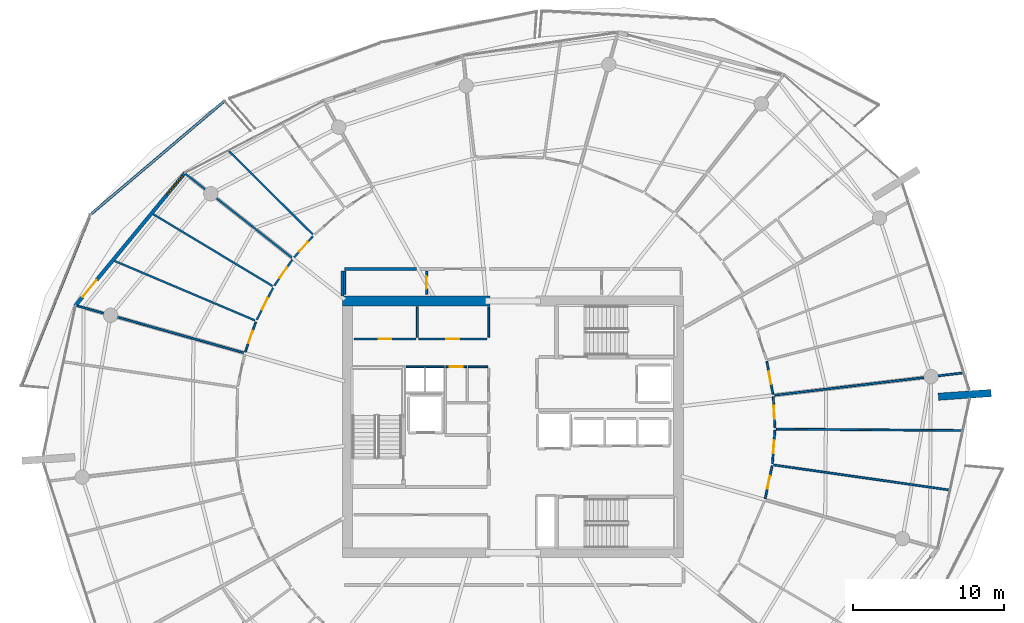
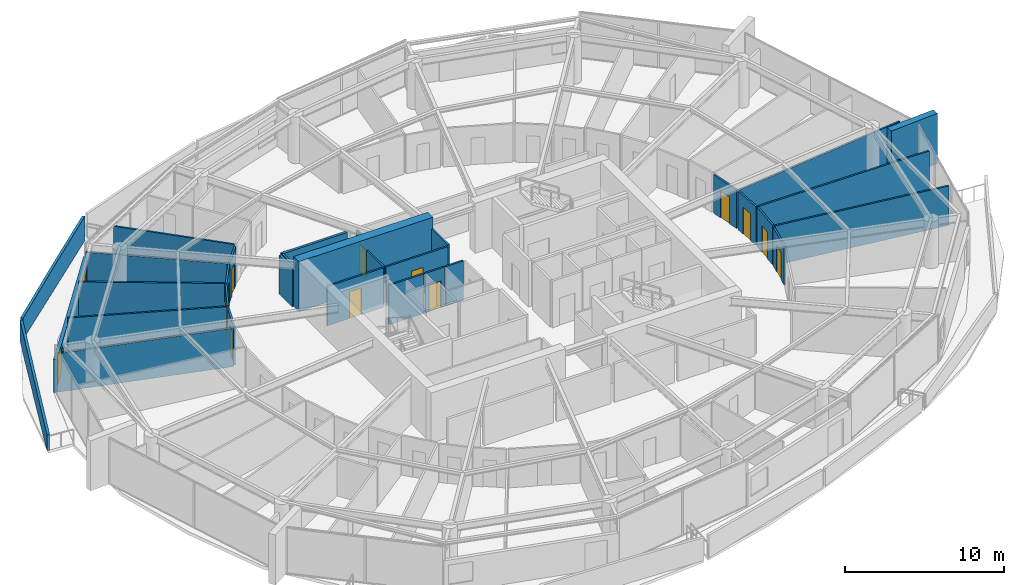
# One storey, part 22 of 31: 32 walls, 13 doors, 1 window, 14 openings.
"""IFC4 building model written with IfcOpenShell, lengths in metres."""

from ifc_helpers import new_model, si_unit, direction, frame, frame_2d, origin, place, context, subcontext, project, spatial, polyline, rectangle, outline, extrude, material, layer, layer_set, type_object, element, fill, save


model = new_model("IFC4")

# Units and contexts
model_context = context("Model", 3, precision=1e-05, world=origin(), true_north=direction((0.0, 1.0)))
body_context = subcontext(model_context, "Body", "Model", "MODEL_VIEW")
ifc_project = project(units=[si_unit("LENGTHUNIT", "METRE"), si_unit("AREAUNIT", "SQUARE_METRE"), si_unit("VOLUMEUNIT", "CUBIC_METRE"), si_unit("PLANEANGLEUNIT", "RADIAN"), si_unit("MASSUNIT", "GRAM", prefix="KILO")], contexts=[model_context])

# Site, building, storey
site_placement = place(None, origin())
site = spatial("IfcSite", under=ifc_project, at=site_placement, CompositionType="ELEMENT")
building_placement = place(site_placement, origin())
building = spatial("IfcBuilding", under=site, at=building_placement, Name="Kazma Halo Residences", CompositionType="ELEMENT")
storey_placement = place(building_placement, frame((0.0, 0.0, 240.550048828125)))
storey = spatial("IfcBuildingStorey", under=building, at=storey_placement, Name="L60", CompositionType="ELEMENT", Elevation=240.550048828125)

# Walls
ifc_material_1 = material(Name="White Concrete C50/60 Balustrade", Category="concrete")
ifc_layer_1 = layer(ifc_material_1, 0.179931640625)
ifc_layer_set_1 = layer_set([ifc_layer_1], Name="White Concrete C50/60 Balustrade")
wall_type_1 = type_object("IfcWallType", Name="WL-BAL-WAVE-180", PredefinedType="PARAPET", material=ifc_layer_set_1)
wall_1_placement = place(storey_placement, frame((29.34765625, 63.571044921875, 0.0), z_axis=(0.0, 0.0, 1.0), x_axis=(-0.762735629532, -0.646710413896, 0.0)))
element("IfcWall", 1, at=wall_1_placement, inside=storey, type_object=wall_type_1, Name="L60 white wave balustrade wall NW.1", PredefinedType="PARAPET", context=body_context, shape_type="SweptSolid", body=[
    extrude(outline(polyline([(0.0, 0.0), (11.53515625, 0.0), (11.53515625, 1.6318359375), (5.767578125, 1.7978515625), (0.0, 1.85986328125), (0.0, 0.0)])), frame((0.0, 0.08984375, 0.0), z_axis=(0.0, -1.0, 0.0), x_axis=(1.0, 0.0, 0.0)), (0.0, 0.0, 1.0), 0.179931640625),
])
wall_2_placement = place(storey_placement, frame((20.4130859375, 55.922119140625, 0.0), z_axis=(0.0, 0.0, 1.0), x_axis=(-0.374094279698, -0.927390678138, 0.0)))
element("IfcWall", 2, at=wall_2_placement, inside=storey, type_object=wall_type_1, Name="L60 white wave balustrade wall NW.2", PredefinedType="PARAPET", context=body_context, shape_type="SweptSolid", body=[
    extrude(outline(polyline([(0.0, 0.0), (12.07470703125, 0.0), (12.07470703125, 1.23291015625), (6.037353515625, 1.41796875), (0.0, 1.6318359375), (0.0, 0.0)])), frame((0.0, 0.08984375, 0.0), z_axis=(0.0, -1.0, 0.0), x_axis=(1.0, 0.0, 0.0)), (0.0, 0.0, 1.0), 0.179931640625),
])
ifc_material_2 = material(Name="Pale Concrete C60/75", Category="concrete")
ifc_layer_2 = layer(ifc_material_2, 0.47998046875)
ifc_layer_set_2 = layer_set([ifc_layer_2], Name="Pale Concrete C60/75")
wall_type_2 = type_object("IfcWallType", Name="WL-BLADE-480", PredefinedType="SOLIDWALL", material=ifc_layer_set_2)
wall_3_placement = place(storey_placement, frame((76.5625, 43.997314453125, 0.0), z_axis=(0.0, 0.0, 1.0), x_axis=(0.997563824095, 0.069759707979, 0.0)))
element("IfcWall", 3, at=wall_3_placement, inside=storey, type_object=wall_type_2, Name="L60 pale concrete structural blade fin wall BW-04", PredefinedType="SOLIDWALL", context=body_context, shape_type="SweptSolid", body=[
    extrude(rectangle(XDim=3.499755859375, YDim=0.47998046875, at=frame_2d((1.75, 0.0))), origin(), (0.0, 0.0, 1.0), 3.849853515625),
])
ifc_material_3 = material(Name="Concrete C60/75", Category="concrete")
ifc_layer_3 = layer(ifc_material_3, 0.64990234375)
ifc_layer_set_3 = layer_set([ifc_layer_3], Name="Concrete C60/75")
wall_type_3 = type_object("IfcWallType", Name="WL-CORE-650", PredefinedType="SHEAR", material=ifc_layer_set_3)
wall_4_placement = place(storey_placement, frame((37.14990234375, 50.324951171875, 0.0), z_axis=(0.0, 0.0, 1.0), x_axis=(1.0, 0.0, 0.0)))
element("IfcWall", 4, at=wall_4_placement, inside=storey, type_object=wall_type_3, Name="L60 central core shear wall NW", PredefinedType="SHEAR", context=body_context, shape_type="SweptSolid", body=[
    extrude(rectangle(XDim=9.75, YDim=0.64990234375, at=frame_2d((4.875, 0.0))), origin(), (0.0, 0.0, 1.0), 3.849853515625),
])
ifc_material_4 = material(Name="Acoustic Twin-Stud Gypsum")
ifc_layer_4 = layer(ifc_material_4, 0.179931640625)
ifc_layer_set_4 = layer_set([ifc_layer_4], Name="Acoustic Twin-Stud Gypsum")
wall_type_4 = type_object("IfcWallType", Name="WL-DEM-180", PredefinedType="PARTITIONING", material=ifc_layer_set_4)
wall_5_placement = place(storey_placement, frame((42.027587890625, 52.449951171875, 0.0), z_axis=(0.0, 0.0, 1.0), x_axis=(-1.0, 0.0, 0.0)))
element("IfcWall", 5, at=wall_5_placement, inside=storey, type_object=wall_type_4, Name="L60 Apartment 1 inner wall 4", PredefinedType="PARTITIONING", context=body_context, shape_type="SweptSolid", body=[
    extrude(rectangle(XDim=4.757568359375, YDim=0.179931640625, at=frame_2d((2.37890625, 0.0))), origin(), (0.0, 0.0, 1.0), 2.95703125),
])
wall_6_placement = place(storey_placement, frame((37.14990234375, 52.330078125, 0.0), z_axis=(0.0, 0.0, 1.0), x_axis=(0.0, -1.0, 0.0)))
element("IfcWall", 6, at=wall_6_placement, inside=storey, type_object=wall_type_4, Name="L60 Apartment 1 inner wall 4", PredefinedType="PARTITIONING", context=body_context, shape_type="SweptSolid", body=[
    extrude(rectangle(XDim=1.656494140625, YDim=0.179931640625, at=frame_2d((0.828125, 0.0))), origin(), (0.0, 0.0, 1.0), 2.95703125),
])

# Wall, openings, door, window
ifc_material_5 = material(Name="Insulated Pale-Metal Composite Wall")
ifc_layer_5 = layer(ifc_material_5, 0.239990234375)
ifc_layer_set_5 = layer_set([ifc_layer_5], Name="Insulated Pale-Metal Composite Wall")
wall_type_5 = type_object("IfcWallType", Name="WL-EXT-HOST-240", PredefinedType="SOLIDWALL", material=ifc_layer_set_5)
wall_7_placement = place(storey_placement, frame((26.7421875, 58.822021484375, 0.0), z_axis=(0.0, 0.0, 1.0), x_axis=(-0.636680093065, -0.771128043255, 0.0)))
wall_7 = element("IfcWall", 7, at=wall_7_placement, inside=storey, type_object=wall_type_5, Name="L60 exterior terrace-access wall B06", PredefinedType="SOLIDWALL", context=body_context, shape_type="SweptSolid", body=[
    extrude(rectangle(XDim=11.438232421875, YDim=0.239990234375, at=frame_2d((5.71923828125, 0.0))), origin(), (0.0, 0.0, 1.0), 2.5400390625),
])
opening_1_placement = place(wall_7_placement, frame((9.21826171875, 0.0, 0.0)))
opening_1 = element("IfcOpeningElement", 8, at=opening_1_placement, cuts=wall_7, Name="Opening DTR-1600", PredefinedType="OPENING", context=body_context, shape_type="SweptSolid", body=[
    extrude(rectangle(XDim=1.449951171875, YDim=2.14990234375, at=frame_2d((0.72509765625, 1.074951171875))), frame((0.0, 0.1298828125, 0.0), z_axis=(0.0, -1.0, 0.0), x_axis=(1.0, 0.0, 0.0)), (0.0, 0.0, 1.0), 0.260009765625),
])
opening_2_placement = place(wall_7_placement, frame((0.280029296875, 0.0, 0.64990234375)))
opening_2 = element("IfcOpeningElement", 9, at=opening_2_placement, cuts=wall_7, Name="Opening W-1800", PredefinedType="OPENING", context=body_context, shape_type="SweptSolid", body=[
    extrude(rectangle(XDim=1.60009765625, YDim=1.5, at=frame_2d((0.800048828125, 0.75))), frame((0.0, 0.1298828125, 0.0), z_axis=(0.0, -1.0, 0.0), x_axis=(1.0, 0.0, 0.0)), (0.0, 0.0, 1.0), 0.260009765625),
])
ifc_material_6 = material(Name="Aluminium AW-6063 T6 Double-Glazed Terrace Door", Category="aluminium")
door_type_1 = type_object("IfcDoorType", Name="DR-EXT-TERR-1600", OperationType="NOTDEFINED", PredefinedType="DOOR", material=ifc_material_6)
door_1_placement = place(opening_1_placement, origin())
door_1 = element("IfcDoor", 10, at=door_1_placement, inside=storey, type_object=door_type_1, Name="L60 B06 balcony terrace door", OperationType="DOUBLE_DOOR_SLIDING", OverallHeight=2.14990234375, OverallWidth=1.449951171875, PredefinedType="DOOR", context=body_context, shape_type="SweptSolid", body=[
    extrude(rectangle(XDim=1.449951171875, YDim=2.14990234375, at=frame_2d((0.72509765625, 1.074951171875))), frame((0.0, 0.02490234375, 0.0), z_axis=(0.0, -1.0, 0.0), x_axis=(1.0, 0.0, 0.0)), (0.0, 0.0, 1.0), 0.050048828125),
])
fill(opening_1, door_1)
ifc_material_7 = material(Name="Clear Triple-Silver Low-E Glass in Aluminium AW-6063 T6 Frame", Category="aluminium")
window_type = type_object("IfcWindowType", Name="WIN-RES-1800", PartitioningType="DOUBLE_PANEL_VERTICAL", PredefinedType="WINDOW", material=ifc_material_7)
window_placement = place(opening_2_placement, origin())
window = element("IfcWindow", 11, at=window_placement, inside=storey, type_object=window_type, Name="L60 B06 apartment window", OverallHeight=1.5, OverallWidth=1.60009765625, PartitioningType="SINGLE_PANEL", PredefinedType="WINDOW", context=body_context, shape_type="SweptSolid", body=[
    extrude(rectangle(XDim=1.60009765625, YDim=1.5, at=frame_2d((0.800048828125, 0.75))), frame((0.0, 0.030029296875, 0.0), z_axis=(0.0, -1.0, 0.0), x_axis=(1.0, 0.0, 0.0)), (0.0, 0.0, 1.0), 0.06005859375),
])
fill(opening_2, window)

# Walls
ifc_material_8 = material(Name="Gypsum Plasterboard Partition")
ifc_layer_6 = layer(ifc_material_8, 0.125)
ifc_layer_set_6 = layer_set([ifc_layer_6], Name="Gypsum Plasterboard Partition")
wall_type_6 = type_object("IfcWallType", Name="WL-PART-125", PredefinedType="PARTITIONING", material=ifc_layer_set_6)
for number, where, z_axis, x_axis, name in (
    (12, (46.820068359375, 47.919921875, 0.0), (0.0, 0.0, 1.0), (0.0, 1.0, 0.0), "L60 reclaimed north east wall"),
    (13, (42.10009765625, 47.919921875, 0.0), (0.0, 0.0, 1.0), (0.0, 1.0, 0.0), "L60 reclaimed north divider wall"),
):
    element("IfcWall", number, at=place(storey_placement, frame(where, z_axis=z_axis, x_axis=x_axis)), inside=storey, type_object=wall_type_6, Name=name, PredefinedType="PARTITIONING", context=body_context, shape_type="SweptSolid", body=[
        extrude(rectangle(XDim=2.030029296875, YDim=0.125, at=frame_2d((1.01513671875, 0.0))), origin(), (0.0, 0.0, 1.0), 3.030029296875),
    ])

# Wall, opening, door
wall_8_placement = place(storey_placement, frame((37.919921875, 47.820068359375, 0.0), z_axis=(0.0, 0.0, 1.0), x_axis=(1.0, 0.0, 0.0)))
wall_8 = element("IfcWall", 14, at=wall_8_placement, inside=storey, type_object=wall_type_6, Name="L60 reclaimed north W front wall", PredefinedType="PARTITIONING", context=body_context, shape_type="SweptSolid", body=[
    extrude(rectangle(XDim=4.080078125, YDim=0.125, at=frame_2d((2.0400390625, 0.0))), origin(), (0.0, 0.0, 1.0), 3.030029296875),
])
opening_3_placement = place(wall_8_placement, frame((1.614990234375, 0.0, 0.0)))
opening_3 = element("IfcOpeningElement", 15, at=opening_3_placement, cuts=wall_8, Name="Opening DS-850", PredefinedType="OPENING", context=body_context, shape_type="SweptSolid", body=[
    extrude(rectangle(XDim=0.85009765625, YDim=2.06005859375, at=frame_2d((0.425048828125, 1.030029296875))), frame((0.0, 0.072509765625, 0.0), z_axis=(0.0, -1.0, 0.0), x_axis=(1.0, 0.0, 0.0)), (0.0, 0.0, 1.0), 0.14501953125),
])
ifc_material_9 = material(Name="Painted Steel Access Leaf", Category="steel")
door_type_2 = type_object("IfcDoorType", Name="DR-SVC-850", OperationType="NOTDEFINED", PredefinedType="DOOR", material=ifc_material_9)
door_2_placement = place(opening_3_placement, origin())
door_2 = element("IfcDoor", 16, at=door_2_placement, inside=storey, type_object=door_type_2, Name="L60 reclaimed north W door", OperationType="SINGLE_SWING_RIGHT", OverallHeight=2.06005859375, OverallWidth=0.85009765625, PredefinedType="DOOR", context=body_context, shape_type="SweptSolid", body=[
    extrude(rectangle(XDim=0.85009765625, YDim=2.06005859375, at=frame_2d((0.425048828125, 1.030029296875))), frame((0.0, 0.02490234375, 0.0), z_axis=(0.0, -1.0, 0.0), x_axis=(1.0, 0.0, 0.0)), (0.0, 0.0, 1.0), 0.050048828125),
])
fill(opening_3, door_2)

wall_9_placement = place(storey_placement, frame((42.199951171875, 47.820068359375, 0.0), z_axis=(0.0, 0.0, 1.0), x_axis=(1.0, 0.0, 0.0)))
wall_9 = element("IfcWall", 17, at=wall_9_placement, inside=storey, type_object=wall_type_6, Name="L60 reclaimed north E front wall", PredefinedType="PARTITIONING", context=body_context, shape_type="SweptSolid", body=[
    extrude(rectangle(XDim=4.5, YDim=0.125, at=frame_2d((2.25, 0.0))), origin(), (0.0, 0.0, 1.0), 3.030029296875),
])
opening_4_placement = place(wall_9_placement, frame((1.824951171875, 0.0, 0.0)))
opening_4 = element("IfcOpeningElement", 18, at=opening_4_placement, cuts=wall_9, Name="Opening DS-850", PredefinedType="OPENING", context=body_context, shape_type="SweptSolid", body=[
    extrude(rectangle(XDim=0.85009765625, YDim=2.06005859375, at=frame_2d((0.425048828125, 1.030029296875))), frame((0.0, 0.072509765625, 0.0), z_axis=(0.0, -1.0, 0.0), x_axis=(1.0, 0.0, 0.0)), (0.0, 0.0, 1.0), 0.14501953125),
])
door_3_placement = place(opening_4_placement, origin())
door_3 = element("IfcDoor", 19, at=door_3_placement, inside=storey, type_object=door_type_2, Name="L60 reclaimed north E door", OperationType="SINGLE_SWING_LEFT", OverallHeight=2.06005859375, OverallWidth=0.85009765625, PredefinedType="DOOR", context=body_context, shape_type="SweptSolid", body=[
    extrude(rectangle(XDim=0.85009765625, YDim=2.06005859375, at=frame_2d((0.425048828125, 1.030029296875))), frame((0.0, 0.02490234375, 0.0), z_axis=(0.0, -1.0, 0.0), x_axis=(1.0, 0.0, 0.0)), (0.0, 0.0, 1.0), 0.050048828125),
])
fill(opening_4, door_3)

# Wall
wall_10_placement = place(storey_placement, frame((41.35009765625, 45.97998046875, 0.0), z_axis=(0.0, 0.0, 1.0), x_axis=(1.0, 0.0, 0.0)))
element("IfcWall", 20, at=wall_10_placement, inside=storey, type_object=wall_type_6, Name="L60 core riser NW wall", PredefinedType="PARTITIONING", context=body_context, shape_type="SweptSolid", body=[
    extrude(rectangle(XDim=2.52978515625, YDim=0.125, at=frame_2d((1.264892578125, 0.0))), origin(), (0.0, 0.0, 1.0), 3.030029296875),
])

# Wall, opening, door
wall_11_placement = place(storey_placement, frame((43.989990234375, 45.97998046875, 0.0), z_axis=(0.0, 0.0, 1.0), x_axis=(1.0, 0.0, 0.0)))
wall_11 = element("IfcWall", 21, at=wall_11_placement, inside=storey, type_object=wall_type_6, Name="L60 cleaners cupboard north wall", PredefinedType="PARTITIONING", context=body_context, shape_type="SweptSolid", body=[
    extrude(rectangle(XDim=1.380126953125, YDim=0.125, at=frame_2d((0.68994140625, 0.0))), origin(), (0.0, 0.0, 1.0), 3.030029296875),
])
opening_5_placement = place(wall_11_placement, frame((0.264892578125, 0.0, 0.0)))
opening_5 = element("IfcOpeningElement", 22, at=opening_5_placement, cuts=wall_11, Name="Opening DS-850", PredefinedType="OPENING", context=body_context, shape_type="SweptSolid", body=[
    extrude(rectangle(XDim=0.85009765625, YDim=2.06005859375, at=frame_2d((0.425048828125, 1.030029296875))), frame((0.0, 0.072509765625, 0.0), z_axis=(0.0, -1.0, 0.0), x_axis=(1.0, 0.0, 0.0)), (0.0, 0.0, 1.0), 0.14501953125),
])
door_4_placement = place(opening_5_placement, origin())
door_4 = element("IfcDoor", 23, at=door_4_placement, inside=storey, type_object=door_type_2, Name="L60 cleaners cupboard door", OperationType="SINGLE_SWING_LEFT", OverallHeight=2.06005859375, OverallWidth=0.85009765625, PredefinedType="DOOR", context=body_context, shape_type="SweptSolid", body=[
    extrude(rectangle(XDim=0.85009765625, YDim=2.06005859375, at=frame_2d((0.425048828125, 1.030029296875))), frame((0.0, 0.02490234375, 0.0), z_axis=(0.0, -1.0, 0.0), x_axis=(1.0, 0.0, 0.0)), (0.0, 0.0, 1.0), 0.050048828125),
])
fill(opening_5, door_4)

# Walls
wall_12_placement = place(storey_placement, frame((45.47998046875, 45.97998046875, 0.0), z_axis=(0.0, 0.0, 1.0), x_axis=(1.0, 0.0, 0.0)))
element("IfcWall", 24, at=wall_12_placement, inside=storey, type_object=wall_type_6, Name="L60 sub-metering north wall", PredefinedType="PARTITIONING", context=body_context, shape_type="SweptSolid", body=[
    extrude(rectangle(XDim=1.260009765625, YDim=0.125, at=frame_2d((0.6298828125, 0.0))), origin(), (0.0, 0.0, 1.0), 3.030029296875),
])
wall_13_placement = place(storey_placement, frame((37.2900390625, 50.77001953125, 0.0), z_axis=(0.0, 0.0, 1.0), x_axis=(0.0, 1.0, 0.0)))
element("IfcWall", 25, at=wall_13_placement, inside=storey, type_object=wall_type_6, Name="L60 west linen end wall", PredefinedType="PARTITIONING", context=body_context, shape_type="SweptSolid", body=[
    extrude(rectangle(XDim=1.5400390625, YDim=0.125, at=frame_2d((0.77001953125, 0.0))), origin(), (0.0, 0.0, 1.0), 3.030029296875),
])

# Wall, opening, door
wall_14_placement = place(storey_placement, frame((42.7099609375, 50.7900390625, 0.0), z_axis=(0.0, 0.0, 1.0), x_axis=(0.0, 1.0, 0.0)))
wall_14 = element("IfcWall", 26, at=wall_14_placement, inside=storey, type_object=wall_type_6, Name="L60 floor linen store door wall", PredefinedType="PARTITIONING", context=body_context, shape_type="SweptSolid", body=[
    extrude(rectangle(XDim=1.52001953125, YDim=0.125, at=frame_2d((0.760009765625, 0.0))), origin(), (0.0, 0.0, 1.0), 2.95703125),
])
opening_6_placement = place(wall_14_placement, frame((0.3349609375, 0.0, 0.0)))
opening_6 = element("IfcOpeningElement", 27, at=opening_6_placement, cuts=wall_14, Name="Opening DS-850", PredefinedType="OPENING", context=body_context, shape_type="SweptSolid", body=[
    extrude(rectangle(XDim=0.85009765625, YDim=2.06005859375, at=frame_2d((0.425048828125, 1.030029296875))), frame((0.0, 0.072509765625, 0.0), z_axis=(0.0, -1.0, 0.0), x_axis=(1.0, 0.0, 0.0)), (0.0, 0.0, 1.0), 0.14501953125),
])
door_5_placement = place(opening_6_placement, origin())
door_5 = element("IfcDoor", 28, at=door_5_placement, inside=storey, type_object=door_type_2, Name="L60 floor linen store door", OperationType="SINGLE_SWING_LEFT", OverallHeight=2.06005859375, OverallWidth=0.85009765625, PredefinedType="DOOR", context=body_context, shape_type="SweptSolid", body=[
    extrude(rectangle(XDim=0.85009765625, YDim=2.06005859375, at=frame_2d((0.425048828125, 1.030029296875))), frame((0.0, 0.02490234375, 0.0), z_axis=(0.0, -1.0, 0.0), x_axis=(1.0, 0.0, 0.0)), (0.0, 0.0, 1.0), 0.050048828125),
])
fill(opening_6, door_5)

# Wall
wall_15_placement = place(storey_placement, frame((35.17529296875, 54.73974609375, 0.0), z_axis=(0.0, 0.0, 1.0), x_axis=(-0.709454223479, 0.70475151989, 0.0)))
element("IfcWall", 29, at=wall_15_placement, inside=storey, type_object=wall_type_6, Name="L60 Apartment 1 suite divider 4", PredefinedType="PARTITIONING", context=body_context, shape_type="SweptSolid", body=[
    extrude(rectangle(XDim=7.839111328125, YDim=0.125, at=frame_2d((3.91943359375, 0.0))), origin(), (0.0, 0.0, 1.0), 3.030029296875),
])

# Wall, opening, door
wall_16_placement = place(storey_placement, frame((35.18603515625, 54.616455078125, 0.0), z_axis=(0.0, 0.0, 1.0), x_axis=(-0.662974884037, -0.74864163866, 0.0)))
wall_16 = element("IfcWall", 30, at=wall_16_placement, inside=storey, type_object=wall_type_6, Name="L60 Apartment 1 Garden Master Bedroom hall wall", PredefinedType="PARTITIONING", context=body_context, shape_type="SweptSolid", body=[
    extrude(rectangle(XDim=1.878173828125, YDim=0.125, at=frame_2d((0.93896484375, 0.0))), origin(), (0.0, 0.0, 1.0), 2.95703125),
])
opening_7_placement = place(wall_16_placement, frame((0.51416015625, 0.0, 0.0)))
opening_7 = element("IfcOpeningElement", 31, at=opening_7_placement, cuts=wall_16, Name="Opening DB-900", PredefinedType="OPENING", context=body_context, shape_type="SweptSolid", body=[
    extrude(rectangle(XDim=0.85009765625, YDim=2.06005859375, at=frame_2d((0.425048828125, 1.030029296875))), frame((0.0, 0.072509765625, 0.0), z_axis=(0.0, -1.0, 0.0), x_axis=(1.0, 0.0, 0.0)), (0.0, 0.0, 1.0), 0.14501953125),
])
ifc_material_10 = material(Name="Moisture-Sealed Timber Leaf", Category="wood")
door_type_3 = type_object("IfcDoorType", Name="DR-BTH-900", OperationType="NOTDEFINED", PredefinedType="DOOR", material=ifc_material_10)
door_6_placement = place(opening_7_placement, origin())
door_6 = element("IfcDoor", 32, at=door_6_placement, inside=storey, type_object=door_type_3, Name="L60 Apartment 1 Garden Master Bedroom door", OperationType="SINGLE_SWING_RIGHT", OverallHeight=2.06005859375, OverallWidth=0.85009765625, PredefinedType="DOOR", context=body_context, shape_type="SweptSolid", body=[
    extrude(rectangle(XDim=0.85009765625, YDim=2.06005859375, at=frame_2d((0.425048828125, 1.030029296875))), frame((0.0, 0.02490234375, 0.0), z_axis=(0.0, -1.0, 0.0), x_axis=(1.0, 0.0, 0.0)), (0.0, 0.0, 1.0), 0.050048828125),
])
fill(opening_7, door_6)

# Walls
wall_17_placement = place(storey_placement, frame((33.7958984375, 53.197509765625, 0.0), z_axis=(0.0, 0.0, 1.0), x_axis=(-0.785317367408, 0.619093395577, 0.0)))
element("IfcWall", 33, at=wall_17_placement, inside=storey, type_object=wall_type_6, Name="L60 Apartment 1 radial partition 5", PredefinedType="PARTITIONING", context=body_context, shape_type="SweptSolid", body=[
    extrude(rectangle(XDim=8.99755859375, YDim=0.125, at=frame_2d((4.498779296875, 0.0))), origin(), (0.0, 0.0, 1.0), 2.95703125),
])
wall_18_placement = place(storey_placement, frame((32.51318359375, 51.32373046875, 0.0), z_axis=(0.0, 0.0, 1.0), x_axis=(-0.856717015706, 0.515786734028, 0.0)))
element("IfcWall", 34, at=wall_18_placement, inside=storey, type_object=wall_type_6, Name="L60 Apartment 1 bay wall 1 5", PredefinedType="PARTITIONING", context=body_context, shape_type="SweptSolid", body=[
    extrude(rectangle(XDim=9.201171875, YDim=0.125, at=frame_2d((4.6005859375, 0.0))), origin(), (0.0, 0.0, 1.0), 3.030029296875),
])
wall_19_placement = place(storey_placement, frame((31.35400390625, 49.048583984375, 0.0), z_axis=(0.0, 0.0, 1.0), x_axis=(-0.920847854277, 0.389922081028, 0.0)))
element("IfcWall", 35, at=wall_19_placement, inside=storey, type_object=wall_type_6, Name="L60 Apartment 1 bay wall 2 5", PredefinedType="PARTITIONING", context=body_context, shape_type="SweptSolid", body=[
    extrude(rectangle(XDim=10.078857421875, YDim=0.125, at=frame_2d((5.03955078125, 0.0))), origin(), (0.0, 0.0, 1.0), 3.030029296875),
])

# Wall, opening, door
wall_20_placement = place(storey_placement, frame((33.8291015625, 53.06982421875, 0.0), z_axis=(0.0, 0.0, 1.0), x_axis=(-0.568580744167, -0.822627459645, 0.0)))
wall_20 = element("IfcWall", 36, at=wall_20_placement, inside=storey, type_object=wall_type_6, Name="L60 Apartment 1 Sky Bedroom hall wall", PredefinedType="PARTITIONING", context=body_context, shape_type="SweptSolid", body=[
    extrude(rectangle(XDim=2.098876953125, YDim=0.125, at=frame_2d((1.04931640625, 0.0))), origin(), (0.0, 0.0, 1.0), 2.95703125),
])
opening_8_placement = place(wall_20_placement, frame((0.62451171875, 0.0, 0.0)))
opening_8 = element("IfcOpeningElement", 37, at=opening_8_placement, cuts=wall_20, Name="Opening DB-900", PredefinedType="OPENING", context=body_context, shape_type="SweptSolid", body=[
    extrude(rectangle(XDim=0.85009765625, YDim=2.06005859375, at=frame_2d((0.425048828125, 1.030029296875))), frame((0.0, 0.072509765625, 0.0), z_axis=(0.0, -1.0, 0.0), x_axis=(1.0, 0.0, 0.0)), (0.0, 0.0, 1.0), 0.14501953125),
])
door_7_placement = place(opening_8_placement, origin())
door_7 = element("IfcDoor", 38, at=door_7_placement, inside=storey, type_object=door_type_3, Name="L60 Apartment 1 Sky Bedroom door", OperationType="SINGLE_SWING_LEFT", OverallHeight=2.06005859375, OverallWidth=0.85009765625, PredefinedType="DOOR", context=body_context, shape_type="SweptSolid", body=[
    extrude(rectangle(XDim=0.85009765625, YDim=2.06005859375, at=frame_2d((0.425048828125, 1.030029296875))), frame((0.0, 0.02490234375, 0.0), z_axis=(0.0, -1.0, 0.0), x_axis=(1.0, 0.0, 0.0)), (0.0, 0.0, 1.0), 0.050048828125),
])
fill(opening_8, door_7)

wall_21_placement = place(storey_placement, frame((32.553955078125, 51.2060546875, 0.0), z_axis=(0.0, 0.0, 1.0), x_axis=(-0.454010275522, -0.890996447647, 0.0)))
wall_21 = element("IfcWall", 39, at=wall_21_placement, inside=storey, type_object=wall_type_6, Name="L60 Apartment 1 Gulf Dressing Wardrobe hall wall", PredefinedType="PARTITIONING", context=body_context, shape_type="SweptSolid", body=[
    extrude(rectangle(XDim=2.380615234375, YDim=0.125, at=frame_2d((1.1904296875, 0.0))), origin(), (0.0, 0.0, 1.0), 3.030029296875),
])
opening_9_placement = place(wall_21_placement, frame((0.765380859375, 0.0, 0.0)))
opening_9 = element("IfcOpeningElement", 40, at=opening_9_placement, cuts=wall_21, Name="Opening DB-900", PredefinedType="OPENING", context=body_context, shape_type="SweptSolid", body=[
    extrude(rectangle(XDim=0.85009765625, YDim=2.06005859375, at=frame_2d((0.425048828125, 1.030029296875))), frame((0.0, 0.072509765625, 0.0), z_axis=(0.0, -1.0, 0.0), x_axis=(1.0, 0.0, 0.0)), (0.0, 0.0, 1.0), 0.14501953125),
])
door_8_placement = place(opening_9_placement, origin())
door_8 = element("IfcDoor", 41, at=door_8_placement, inside=storey, type_object=door_type_3, Name="L60 Apartment 1 Gulf Dressing Wardrobe door", OperationType="SINGLE_SWING_RIGHT", OverallHeight=2.06005859375, OverallWidth=0.85009765625, PredefinedType="DOOR", context=body_context, shape_type="SweptSolid", body=[
    extrude(rectangle(XDim=0.85009765625, YDim=2.06005859375, at=frame_2d((0.425048828125, 1.030029296875))), frame((0.0, 0.02490234375, 0.0), z_axis=(0.0, -1.0, 0.0), x_axis=(1.0, 0.0, 0.0)), (0.0, 0.0, 1.0), 0.050048828125),
])
fill(opening_9, door_8)

wall_22_placement = place(storey_placement, frame((31.410400390625, 48.93798828125, 0.0), z_axis=(0.0, 0.0, 1.0), x_axis=(-0.331438416753, -0.943476854989, 0.0)))
wall_22 = element("IfcWall", 42, at=wall_22_placement, inside=storey, type_object=wall_type_6, Name="L60 Apartment 1 Primary Bedroom hall wall", PredefinedType="PARTITIONING", context=body_context, shape_type="SweptSolid", body=[
    extrude(rectangle(XDim=2.0986328125, YDim=0.125, at=frame_2d((1.04931640625, 0.0))), origin(), (0.0, 0.0, 1.0), 2.95703125),
])
opening_10_placement = place(wall_22_placement, frame((0.62451171875, 0.0, 0.0)))
opening_10 = element("IfcOpeningElement", 43, at=opening_10_placement, cuts=wall_22, Name="Opening DB-900", PredefinedType="OPENING", context=body_context, shape_type="SweptSolid", body=[
    extrude(rectangle(XDim=0.85009765625, YDim=2.06005859375, at=frame_2d((0.425048828125, 1.030029296875))), frame((0.0, 0.072509765625, 0.0), z_axis=(0.0, -1.0, 0.0), x_axis=(1.0, 0.0, 0.0)), (0.0, 0.0, 1.0), 0.14501953125),
])
door_9_placement = place(opening_10_placement, origin())
door_9 = element("IfcDoor", 44, at=door_9_placement, inside=storey, type_object=door_type_3, Name="L60 Apartment 1 Primary Bedroom door", OperationType="SINGLE_SWING_LEFT", OverallHeight=2.06005859375, OverallWidth=0.85009765625, PredefinedType="DOOR", context=body_context, shape_type="SweptSolid", body=[
    extrude(rectangle(XDim=0.85009765625, YDim=2.06005859375, at=frame_2d((0.425048828125, 1.030029296875))), frame((0.0, 0.02490234375, 0.0), z_axis=(0.0, -1.0, 0.0), x_axis=(1.0, 0.0, 0.0)), (0.0, 0.0, 1.0), 0.050048828125),
])
fill(opening_10, door_9)

# Walls
wall_23_placement = place(storey_placement, frame((30.592041015625, 46.909423828125, 0.0), z_axis=(0.0, 0.0, 1.0), x_axis=(-0.96245110957, 0.271455082266, 0.0)))
element("IfcWall", 45, at=wall_23_placement, inside=storey, type_object=wall_type_6, Name="L60 Apartment 1 radial partition 6", PredefinedType="PARTITIONING", context=body_context, shape_type="SweptSolid", body=[
    extrude(rectangle(XDim=11.40869140625, YDim=0.125, at=frame_2d((5.704345703125, 0.0))), origin(), (0.0, 0.0, 1.0), 2.95703125),
])
wall_24_placement = place(storey_placement, frame((65.6689453125, 39.4853515625, 0.0), z_axis=(0.0, 0.0, 1.0), x_axis=(0.990022432034, -0.140909843761, 0.0)))
element("IfcWall", 46, at=wall_24_placement, inside=storey, type_object=wall_type_6, Name="L60 Apartment 2 bay wall 1 14", PredefinedType="PARTITIONING", context=body_context, shape_type="SweptSolid", body=[
    extrude(rectangle(XDim=11.760986328125, YDim=0.125, at=frame_2d((5.88037109375, 0.0))), origin(), (0.0, 0.0, 1.0), 3.030029296875),
])
wall_25_placement = place(storey_placement, frame((65.846435546875, 41.85986328125, 0.0), z_axis=(0.0, 0.0, 1.0), x_axis=(0.999969162233, -0.007853316706, 0.0)))
element("IfcWall", 47, at=wall_25_placement, inside=storey, type_object=wall_type_6, Name="L60 Apartment 2 bay wall 2 14", PredefinedType="PARTITIONING", context=body_context, shape_type="SweptSolid", body=[
    extrude(rectangle(XDim=12.310791015625, YDim=0.125, at=frame_2d((6.1552734375, 0.0))), origin(), (0.0, 0.0, 1.0), 3.030029296875),
])

# Wall, opening, door
wall_26_placement = place(storey_placement, frame((65.106689453125, 37.25830078125, 0.0), z_axis=(0.0, 0.0, 1.0), x_axis=(0.20677346991, 0.978388845062, 0.0)))
wall_26 = element("IfcWall", 48, at=wall_26_placement, inside=storey, type_object=wall_type_6, Name="L60 Apartment 2 Gulf Master Bedroom hall wall", PredefinedType="PARTITIONING", context=body_context, shape_type="SweptSolid", body=[
    extrude(rectangle(XDim=2.209228515625, YDim=0.125, at=frame_2d((1.1044921875, 0.0))), origin(), (0.0, 0.0, 1.0), 2.95703125),
])
opening_11_placement = place(wall_26_placement, frame((0.6796875, 0.0, 0.0)))
opening_11 = element("IfcOpeningElement", 49, at=opening_11_placement, cuts=wall_26, Name="Opening DB-900", PredefinedType="OPENING", context=body_context, shape_type="SweptSolid", body=[
    extrude(rectangle(XDim=0.85009765625, YDim=2.06005859375, at=frame_2d((0.425048828125, 1.030029296875))), frame((0.0, 0.072509765625, 0.0), z_axis=(0.0, -1.0, 0.0), x_axis=(1.0, 0.0, 0.0)), (0.0, 0.0, 1.0), 0.14501953125),
])
door_10_placement = place(opening_11_placement, origin())
door_10 = element("IfcDoor", 50, at=door_10_placement, inside=storey, type_object=door_type_3, Name="L60 Apartment 2 Gulf Master Bedroom door", OperationType="SINGLE_SWING_RIGHT", OverallHeight=2.06005859375, OverallWidth=0.85009765625, PredefinedType="DOOR", context=body_context, shape_type="SweptSolid", body=[
    extrude(rectangle(XDim=0.85009765625, YDim=2.06005859375, at=frame_2d((0.425048828125, 1.030029296875))), frame((0.0, 0.02490234375, 0.0), z_axis=(0.0, -1.0, 0.0), x_axis=(1.0, 0.0, 0.0)), (0.0, 0.0, 1.0), 0.050048828125),
])
fill(opening_11, door_10)

wall_27_placement = place(storey_placement, frame((65.5859375, 39.577880859375, 0.0), z_axis=(0.0, 0.0, 1.0), x_axis=(0.074490462528, 0.997221726093, 0.0)))
wall_27 = element("IfcWall", 51, at=wall_27_placement, inside=storey, type_object=wall_type_6, Name="L60 Apartment 2 Primary Dressing Wardrobe hall wall", PredefinedType="PARTITIONING", context=body_context, shape_type="SweptSolid", body=[
    extrude(rectangle(XDim=2.208984375, YDim=0.125, at=frame_2d((1.1044921875, 0.0))), origin(), (0.0, 0.0, 1.0), 3.030029296875),
])
opening_12_placement = place(wall_27_placement, frame((0.679443359375, 0.0, 0.0)))
opening_12 = element("IfcOpeningElement", 52, at=opening_12_placement, cuts=wall_27, Name="Opening DB-900", PredefinedType="OPENING", context=body_context, shape_type="SweptSolid", body=[
    extrude(rectangle(XDim=0.85009765625, YDim=2.06005859375, at=frame_2d((0.425048828125, 1.030029296875))), frame((0.0, 0.072509765625, 0.0), z_axis=(0.0, -1.0, 0.0), x_axis=(1.0, 0.0, 0.0)), (0.0, 0.0, 1.0), 0.14501953125),
])
door_11_placement = place(opening_12_placement, origin())
door_11 = element("IfcDoor", 53, at=door_11_placement, inside=storey, type_object=door_type_3, Name="L60 Apartment 2 Primary Dressing Wardrobe door", OperationType="SINGLE_SWING_LEFT", OverallHeight=2.06005859375, OverallWidth=0.85009765625, PredefinedType="DOOR", context=body_context, shape_type="SweptSolid", body=[
    extrude(rectangle(XDim=0.85009765625, YDim=2.06005859375, at=frame_2d((0.425048828125, 1.030029296875))), frame((0.0, 0.02490234375, 0.0), z_axis=(0.0, -1.0, 0.0), x_axis=(1.0, 0.0, 0.0)), (0.0, 0.0, 1.0), 0.050048828125),
])
fill(opening_12, door_11)

wall_28_placement = place(storey_placement, frame((65.752197265625, 41.9404296875, 0.0), z_axis=(0.0, 0.0, 1.0), x_axis=(-0.055084577693, 0.998481692021, 0.0)))
wall_28 = element("IfcWall", 54, at=wall_28_placement, inside=storey, type_object=wall_type_6, Name="L60 Apartment 2 Secondary Master Bedroom hall wall", PredefinedType="PARTITIONING", context=body_context, shape_type="SweptSolid", body=[
    extrude(rectangle(XDim=2.06982421875, YDim=0.125, at=frame_2d((1.034912109375, 0.0))), origin(), (0.0, 0.0, 1.0), 2.95703125),
])
opening_13_placement = place(wall_28_placement, frame((0.610107421875, 0.0, 0.0)))
opening_13 = element("IfcOpeningElement", 55, at=opening_13_placement, cuts=wall_28, Name="Opening DB-900", PredefinedType="OPENING", context=body_context, shape_type="SweptSolid", body=[
    extrude(rectangle(XDim=0.85009765625, YDim=2.06005859375, at=frame_2d((0.425048828125, 1.030029296875))), frame((0.0, 0.072509765625, 0.0), z_axis=(0.0, -1.0, 0.0), x_axis=(1.0, 0.0, 0.0)), (0.0, 0.0, 1.0), 0.14501953125),
])
door_12_placement = place(opening_13_placement, origin())
door_12 = element("IfcDoor", 56, at=door_12_placement, inside=storey, type_object=door_type_3, Name="L60 Apartment 2 Secondary Master Bedroom door", OperationType="SINGLE_SWING_RIGHT", OverallHeight=2.06005859375, OverallWidth=0.85009765625, PredefinedType="DOOR", context=body_context, shape_type="SweptSolid", body=[
    extrude(rectangle(XDim=0.85009765625, YDim=2.06005859375, at=frame_2d((0.425048828125, 1.030029296875))), frame((0.0, 0.02490234375, 0.0), z_axis=(0.0, -1.0, 0.0), x_axis=(1.0, 0.0, 0.0)), (0.0, 0.0, 1.0), 0.050048828125),
])
fill(opening_13, door_12)

# Wall
wall_29_placement = place(storey_placement, frame((65.733154296875, 44.098876953125, 0.0), z_axis=(0.0, 0.0, 1.0), x_axis=(0.99306831242, 0.117538618625, 0.0)))
element("IfcWall", 57, at=wall_29_placement, inside=storey, type_object=wall_type_6, Name="L60 Apartment 2 radial partition 15", PredefinedType="PARTITIONING", context=body_context, shape_type="SweptSolid", body=[
    extrude(rectangle(XDim=12.57275390625, YDim=0.125, at=frame_2d((6.286376953125, 0.0))), origin(), (0.0, 0.0, 1.0), 2.95703125),
])

# Wall, opening, door
wall_30_placement = place(storey_placement, frame((65.619140625, 44.165771484375, 0.0), z_axis=(0.0, 0.0, 1.0), x_axis=(-0.183454395516, 0.983028221755, 0.0)))
wall_30 = element("IfcWall", 58, at=wall_30_placement, inside=storey, type_object=wall_type_6, Name="L60 Apartment 2 East Master Bedroom hall wall", PredefinedType="PARTITIONING", context=body_context, shape_type="SweptSolid", body=[
    extrude(rectangle(XDim=2.209228515625, YDim=0.125, at=frame_2d((1.1044921875, 0.0))), origin(), (0.0, 0.0, 1.0), 2.95703125),
])
opening_14_placement = place(wall_30_placement, frame((0.6796875, 0.0, 0.0)))
opening_14 = element("IfcOpeningElement", 59, at=opening_14_placement, cuts=wall_30, Name="Opening DB-900", PredefinedType="OPENING", context=body_context, shape_type="SweptSolid", body=[
    extrude(rectangle(XDim=0.85009765625, YDim=2.06005859375, at=frame_2d((0.425048828125, 1.030029296875))), frame((0.0, 0.072509765625, 0.0), z_axis=(0.0, -1.0, 0.0), x_axis=(1.0, 0.0, 0.0)), (0.0, 0.0, 1.0), 0.14501953125),
])
door_13_placement = place(opening_14_placement, origin())
door_13 = element("IfcDoor", 60, at=door_13_placement, inside=storey, type_object=door_type_3, Name="L60 Apartment 2 East Master Bedroom door", OperationType="SINGLE_SWING_LEFT", OverallHeight=2.06005859375, OverallWidth=0.85009765625, PredefinedType="DOOR", context=body_context, shape_type="SweptSolid", body=[
    extrude(rectangle(XDim=0.85009765625, YDim=2.06005859375, at=frame_2d((0.425048828125, 1.030029296875))), frame((0.0, 0.02490234375, 0.0), z_axis=(0.0, -1.0, 0.0), x_axis=(1.0, 0.0, 0.0)), (0.0, 0.0, 1.0), 0.050048828125),
])
fill(opening_14, door_13)

save(model, "model.ifc")
